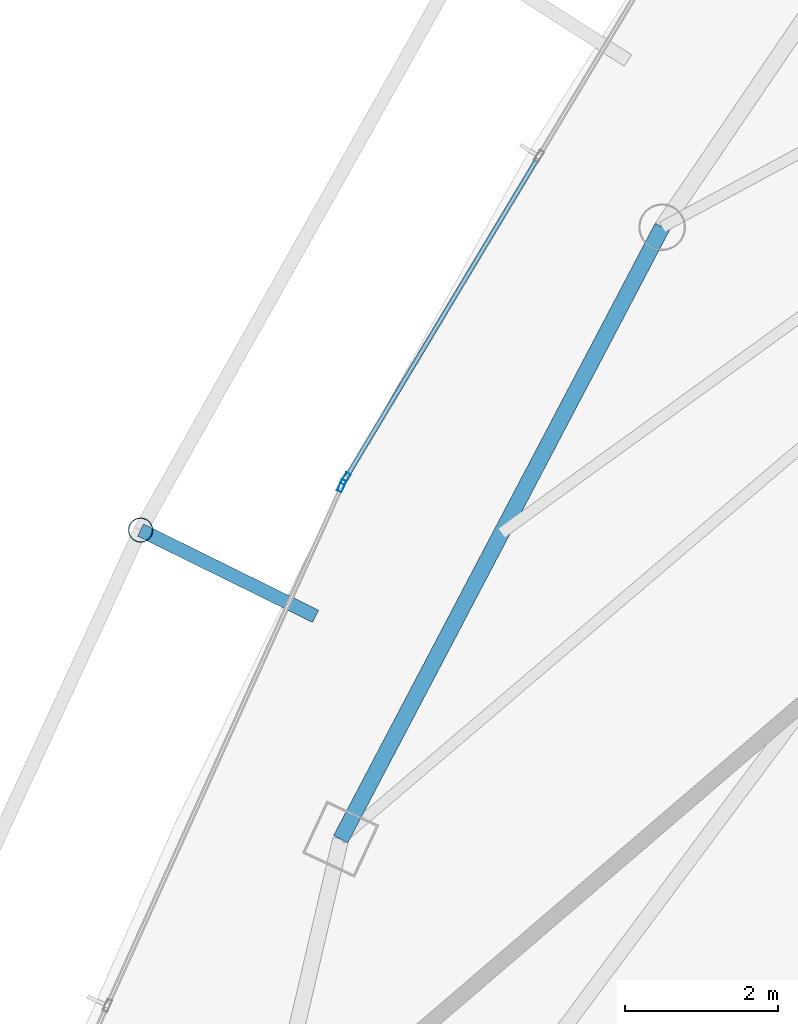
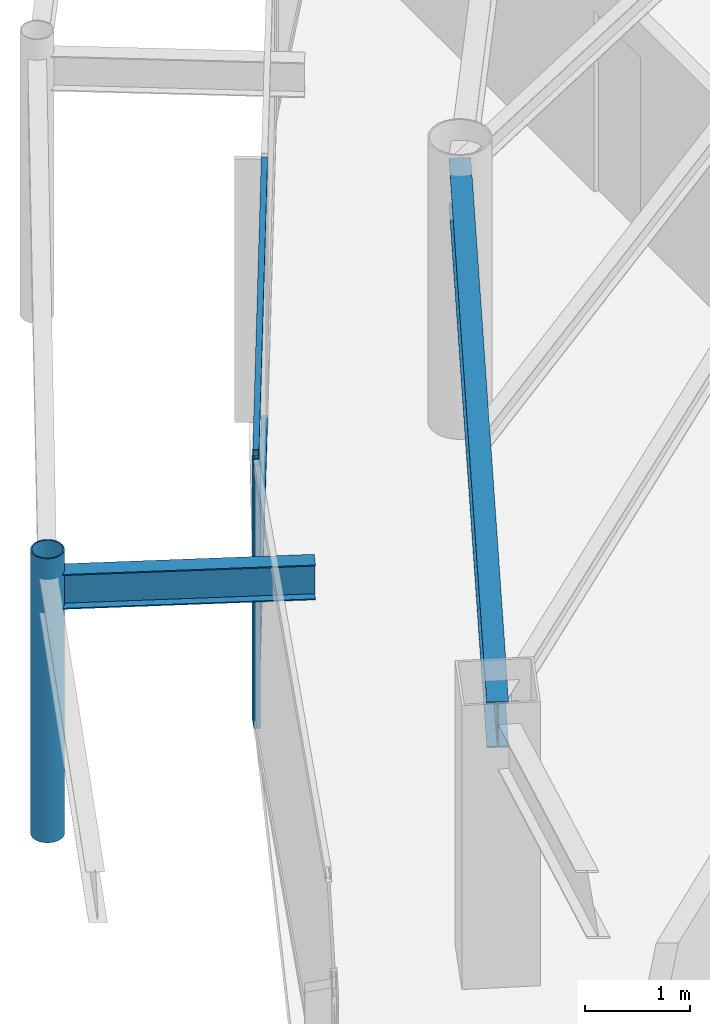
# One storey, part 10 of 30: 5 members, 2 beams, 2 elements without a shape of their own.
"""IFC4 building model written with IfcOpenShell, lengths in metres."""

from ifc_helpers import new_model, si_unit, direction, frame, origin, origin_2d, place, context, subcontext, project, spatial, hollow_rectangle, hollow_circle, i_section, extrude, material, layer, layer_set, material_profile, profile_set, type_object, element, aggregate, save


model = new_model("IFC4")

# Units and contexts
model_context = context("Model", 3, precision=1e-05, world=origin(), true_north=direction((0.0, 1.0)))
body_context = subcontext(model_context, "Body", "Model", "MODEL_VIEW")
ifc_project = project(units=[si_unit("LENGTHUNIT", "METRE"), si_unit("AREAUNIT", "SQUARE_METRE"), si_unit("VOLUMEUNIT", "CUBIC_METRE"), si_unit("PLANEANGLEUNIT", "RADIAN"), si_unit("MASSUNIT", "GRAM", prefix="KILO")], contexts=[model_context])

# Site, building, storey
site_placement = place(None, origin())
site = spatial("IfcSite", under=ifc_project, at=site_placement, CompositionType="ELEMENT")
building_placement = place(site_placement, origin())
building = spatial("IfcBuilding", under=site, at=building_placement, Name="Orvanel Arch Residences", CompositionType="ELEMENT")
storey_placement = place(building_placement, frame((0.0, 0.0, 226.10009765625)))
storey = spatial("IfcBuildingStorey", under=building, at=storey_placement, Name="L64", CompositionType="ELEMENT", Elevation=226.10009765625)

# Curtain wall, member
ifc_material_1 = material(Name="Bronze-anodised aluminium AA6063-T6", Category="aluminium")
ifc_layer = layer(ifc_material_1, 0.175048828125)
ifc_layer_set = layer_set([ifc_layer], Name="Bronze-anodised aluminium AA6063-T6")
curtain_wall_type = type_object("IfcCurtainWallType", Name="CW4-HI-SYS", PredefinedType="NOTDEFINED", material=ifc_layer_set)
curtain_wall_1_placement = place(storey_placement, origin())
curtain_wall_1 = element("IfcCurtainWall", 1, at=curtain_wall_1_placement, inside=storey, type_object=curtain_wall_type, Name="L64 CW4-HI-SYS Unitised Curtain Wall", PredefinedType="NOTDEFINED")
ifc_material_profile_1 = material_profile(ifc_material_1, hollow_rectangle(XDim=0.06494140625, YDim=0.159912109375, WallThickness=0.00390625, at=origin_2d()), Name="ALU160x65x4")
ifc_profile_set_1 = profile_set([ifc_material_profile_1], Name="Bronze-anodised aluminium AA6063-T6")
member_type_1 = type_object("IfcMemberType", Name="MUL-160x65", PredefinedType="MULLION", material=ifc_profile_set_1)
member_1_placement = place(storey_placement, frame((16.4287109375, 24.352783203125, 0.0), z_axis=(0.0, 0.0, 1.0), x_axis=(0.857528580719, -0.514436325748, 0.0)))
member_1 = element("IfcMember", 2, at=member_1_placement, type_object=member_type_1, Name="CW-S4 mullion 3", PredefinedType="MULLION", context=body_context, shape_type="SweptSolid", body=[
    extrude(hollow_rectangle(XDim=0.06494140625, YDim=0.159912109375, WallThickness=0.00390625, at=origin_2d()), origin(), (0.0, 0.0, 1.0), 3.059814453125),
])

curtain_wall_2_placement = place(storey_placement, origin())
curtain_wall_2 = element("IfcCurtainWall", 3, at=curtain_wall_2_placement, inside=storey, type_object=curtain_wall_type, Name="L64 CW4-HI-SYS Unitised Curtain Wall", PredefinedType="NOTDEFINED")
member_2_placement = place(storey_placement, frame((16.380615234375, 24.26025390625, 0.0), z_axis=(0.0, 0.0, 1.0), x_axis=(0.911577429328, -0.411128435335, 0.0)))
member_2 = element("IfcMember", 4, at=member_2_placement, type_object=member_type_1, Name="CW-S4 mullion 1", PredefinedType="MULLION", context=body_context, shape_type="SweptSolid", body=[
    extrude(hollow_rectangle(XDim=0.06494140625, YDim=0.159912109375, WallThickness=0.00390625, at=origin_2d()), origin(), (0.0, 0.0, 1.0), 3.059814453125),
])
aggregate(curtain_wall_2, [member_2])

# Beams
ifc_material_2 = material(Name="Structural steel AS/NZS 3679.1 Grade 300 (300 MPa)", Category="steel")
ifc_material_profile_2 = material_profile(ifc_material_2, i_section(OverallWidth=0.177978515625, OverallDepth=0.406005859375, WebThickness=0.0078125, FlangeThickness=0.0126953125, at=origin_2d()), Name="410UB59.7")
ifc_profile_set_2 = profile_set([ifc_material_profile_2], Name="Structural steel AS/NZS 3679.1 Grade 300 (300 MPa)")
beam_type_1 = type_object("IfcBeamType", Name="OB-410UB-EXT", PredefinedType="SPANDREL", material=ifc_profile_set_2)
beam_1_placement = place(storey_placement, frame((16.0390625, 22.554931640625, 2.85693359375), z_axis=(-0.897016511405, 0.441997034228, 0.0), x_axis=(-0.441997034228, -0.897016511405, 0.0)))
element("IfcBeam", 5, at=beam_1_placement, inside=storey, type_object=beam_type_1, Name="L64 Outer Frame Radial Tie Beam 03", PredefinedType="SPANDREL", context=body_context, shape_type="SweptSolid", body=[
    extrude(i_section(OverallWidth=0.177978515625, OverallDepth=0.406005859375, WebThickness=0.0078125, FlangeThickness=0.0126953125, at=origin_2d()), origin(), (0.0, 0.0, 1.0), 2.5498046875),
])
ifc_material_profile_3 = material_profile(ifc_material_2, i_section(OverallWidth=0.208984375, OverallDepth=0.532958984375, WebThickness=0.01025390625, FlangeThickness=0.015625, at=origin_2d()), Name="530UB92.4")
ifc_profile_set_3 = profile_set([ifc_material_profile_3], Name="Structural steel AS/NZS 3679.1 Grade 300 (300 MPa)")
beam_type_2 = type_object("IfcBeamType", Name="SP-530UB", PredefinedType="SPANDREL", material=ifc_profile_set_3)
beam_2_placement = place(storey_placement, frame((20.569091796875, 27.64111328125, 2.79296875), z_axis=(-0.465064762793, -0.885276660942, 0.0), x_axis=(0.885276660942, -0.465064762793, 0.0)))
element("IfcBeam", 6, at=beam_2_placement, inside=storey, type_object=beam_type_2, Name="L64 Perimeter Spandrel Beam 12", PredefinedType="SPANDREL", context=body_context, shape_type="SweptSolid", body=[
    extrude(i_section(OverallWidth=0.208984375, OverallDepth=0.532958984375, WebThickness=0.01025390625, FlangeThickness=0.015625, at=origin_2d()), origin(), (0.0, 0.0, 1.0), 9.03564453125),
])

# Member
ifc_material_3 = material(Name="Structural steel AS/NZS 1163 C350L0 (Grade 350)", Category="steel")
ifc_material_profile_4 = material_profile(ifc_material_3, hollow_circle(Radius=0.162109375, WallThickness=0.0126953125, at=origin_2d()), Name="CHS324x12.7")
ifc_profile_set_4 = profile_set([ifc_material_profile_4], Name="Structural steel AS/NZS 1163 C350L0 (Grade 350)")
member_type_2 = type_object("IfcMemberType", Name="ST-324CHS-EXT", PredefinedType="STRUT", material=ifc_profile_set_4)
member_3_placement = place(storey_placement, frame((13.751953125, 23.681884765625, 0.0), z_axis=(0.0, 0.0, 1.0), x_axis=(1.0, 0.0, 0.0)))
element("IfcMember", 7, at=member_3_placement, inside=storey, type_object=member_type_2, Name="L64 Outer Perimeter Frame Post 03", PredefinedType="STRUT", context=body_context, shape_type="SweptSolid", body=[
    extrude(hollow_circle(Radius=0.162109375, WallThickness=0.0126953125, at=origin_2d()), origin(), (0.0, 0.0, 1.0), 3.2998046875),
])

ifc_material_profile_5 = material_profile(ifc_material_1, hollow_rectangle(XDim=0.06005859375, YDim=0.1201171875, WallThickness=0.00341796875, at=origin_2d()), Name="ALU120x60x3.5")
ifc_profile_set_5 = profile_set([ifc_material_profile_5], Name="Bronze-anodised aluminium AA6063-T6")
member_type_3 = type_object("IfcMemberType", Name="TRN-120x60", PredefinedType="USERDEFINED", material=ifc_profile_set_5)
member_4_placement = place(storey_placement, frame((18.941162109375, 28.541015625, 0.02978515625), z_axis=(-0.514421746216, -0.857537326896, 0.0), x_axis=(0.857537326896, -0.514421746216, 0.0)))
member_4 = element("IfcMember", 8, at=member_4_placement, type_object=member_type_3, Name="CW-S4 transom 2.1", ObjectType="TRANSOM", PredefinedType="USERDEFINED", context=body_context, shape_type="SweptSolid", body=[
    extrude(hollow_rectangle(XDim=0.06005859375, YDim=0.1201171875, WallThickness=0.00341796875, at=origin_2d()), origin(), (0.0, 0.0, 1.0), 4.851318359375),
])

member_5_placement = place(storey_placement, frame((18.941162109375, 28.541015625, 3.02978515625), z_axis=(-0.514421746216, -0.857537326896, 0.0), x_axis=(0.857537326896, -0.514421746216, 0.0)))
member_5 = element("IfcMember", 9, at=member_5_placement, type_object=member_type_3, Name="CW-S4 transom 2.2", ObjectType="TRANSOM", PredefinedType="USERDEFINED", context=body_context, shape_type="SweptSolid", body=[
    extrude(hollow_rectangle(XDim=0.06005859375, YDim=0.1201171875, WallThickness=0.00341796875, at=origin_2d()), origin(), (0.0, 0.0, 1.0), 4.851318359375),
])

aggregate(curtain_wall_1, [member_1, member_4, member_5])

save(model, "model.ifc")
